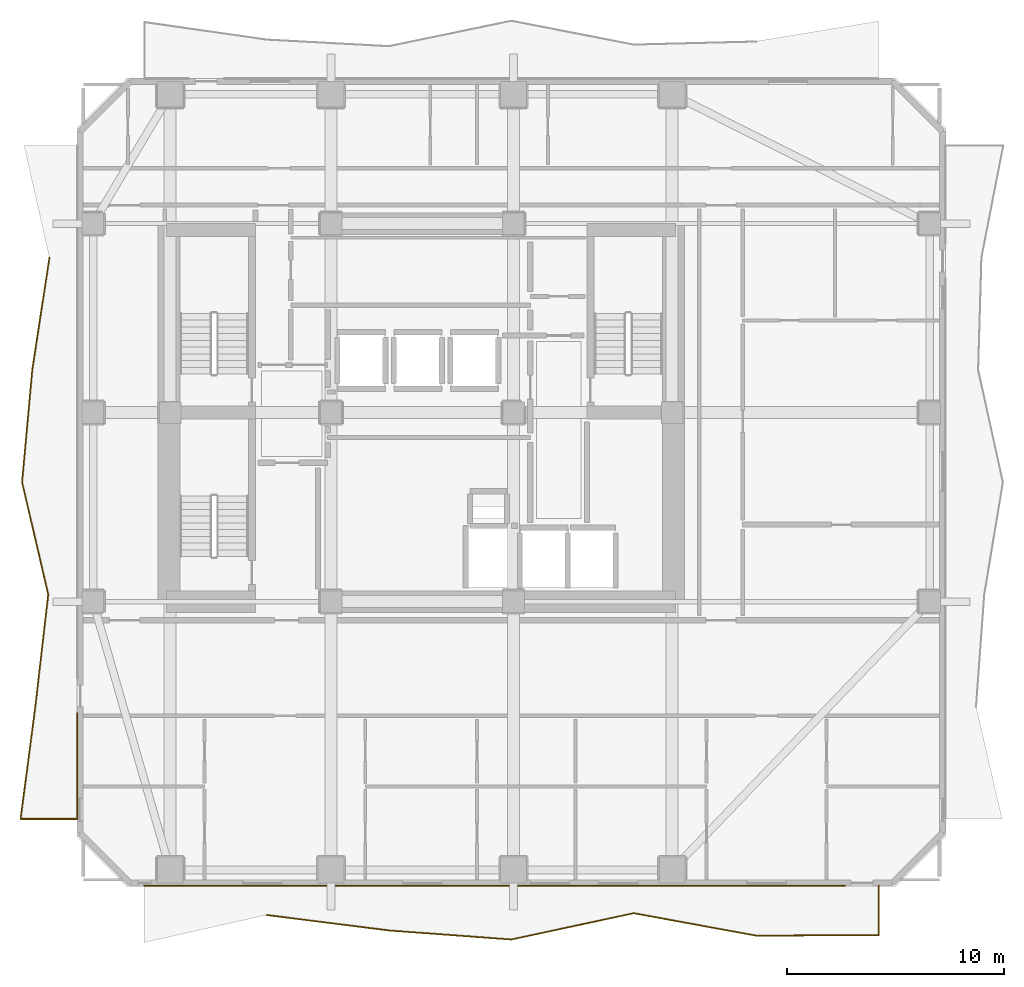
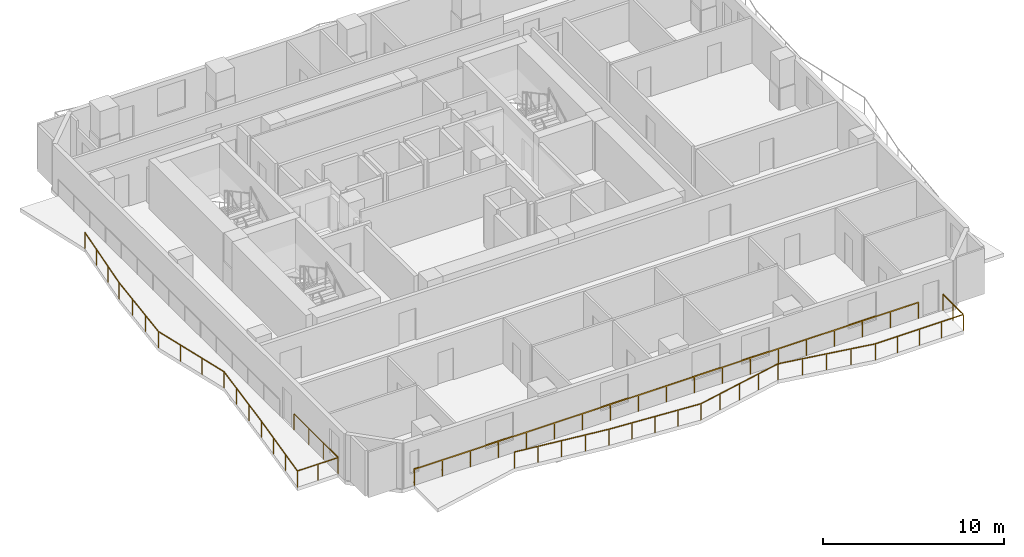
# One storey, part 7 of 9: 3 railings.
"""IFC4 building model written with IfcOpenShell, lengths in metres."""

from ifc_helpers import new_model, si_unit, direction, frame, origin, origin_2d, place, context, subcontext, project, spatial, rectangle, extrude, material, type_object, element, save


model = new_model("IFC4")

# Units and contexts
model_context = context("Model", 3, precision=1e-05, world=origin(), true_north=direction((0.0, 1.0)))
body_context = subcontext(model_context, "Body", "Model", "MODEL_VIEW")
ifc_project = project(units=[si_unit("LENGTHUNIT", "METRE"), si_unit("AREAUNIT", "SQUARE_METRE"), si_unit("VOLUMEUNIT", "CUBIC_METRE"), si_unit("PLANEANGLEUNIT", "RADIAN"), si_unit("MASSUNIT", "GRAM", prefix="KILO")], contexts=[model_context])

# Site, building, storey
site_placement = place(None, origin())
site = spatial("IfcSite", under=ifc_project, at=site_placement, CompositionType="ELEMENT")
building_placement = place(site_placement, origin())
building = spatial("IfcBuilding", under=site, at=building_placement, Name="Solanera Arch Residences", CompositionType="ELEMENT")
storey_placement = place(building_placement, frame((0.0, 0.0, 129.320068359375)))
storey = spatial("IfcBuildingStorey", under=building, at=storey_placement, Name="L37", CompositionType="ELEMENT", Elevation=129.320068359375)

# Railings
ifc_material = material(Name="Steel S355 (ASTM A992 / A572 Grade 50)", Category="steel")
railing_type = type_object("IfcRailingType", Name="Balustrade Railing BL-1100", PredefinedType="BALUSTRADE", material=ifc_material)
railing_1_placement = place(storey_placement, frame((17.8330078125, 7.5791015625, 0.0)))
element("IfcRailing", 1, at=railing_1_placement, inside=storey, type_object=railing_type, Name="L37 S Balcony Balustrade 1", PredefinedType="BALUSTRADE", context=body_context, shape_type="SweptSolid", body=[
    extrude(rectangle(XDim=0.048095703125, YDim=0.048095703125, at=origin_2d()), frame((0.0, 0.0, 1.09619140625), z_axis=(0.992105627374, -0.125405040302, 0.0), x_axis=(0.125405040302, 0.992105627374, 0.0)), (0.0, 0.0, 1.0), 5.678955078125),
    extrude(rectangle(XDim=0.048095703125, YDim=0.048095703125, at=origin_2d()), frame((5.634033203125, -0.712158203125, 1.09619140625), z_axis=(0.997284005213, -0.07365197178, 0.0), x_axis=(0.07365197178, 0.997284005213, 0.0)), (0.0, 0.0, 1.0), 5.6484375),
    extrude(rectangle(XDim=0.048095703125, YDim=0.048095703125, at=origin_2d()), frame((11.26708984375, -1.128173828125, 1.09619140625), z_axis=(0.977698110362, 0.210015249435, 0.0), x_axis=(-0.210015249435, 0.977698110362, 0.0)), (0.0, 0.0, 1.0), 5.76123046875),
    extrude(rectangle(XDim=0.048095703125, YDim=0.048095703125, at=origin_2d()), frame((16.89990234375, 0.081787109375, 1.09619140625), z_axis=(0.983635148134, -0.180171849511, 0.0), x_axis=(0.180171849511, 0.983635148134, 0.0)), (0.0, 0.0, 1.0), 5.727783203125),
    extrude(rectangle(XDim=0.048095703125, YDim=0.048095703125, at=origin_2d()), frame((22.533935546875, -0.9501953125, 1.09619140625), z_axis=(0.999990036089, 0.004464047749, 0.0), x_axis=(-0.004464047749, 0.999990036089, 0.0)), (0.0, 0.0, 1.0), 5.633056640625),
    extrude(rectangle(XDim=0.048095703125, YDim=0.048095703125, at=origin_2d()), frame((28.1669921875, -0.925048828125, 1.09619140625), z_axis=(0.0, 1.0, 0.0), x_axis=(-1.0, 0.0, 0.0)), (0.0, 0.0, 1.0), 2.265869140625),
    extrude(rectangle(XDim=0.0419921875, YDim=0.0419921875, at=origin_2d()), origin(), (0.0, 0.0, 1.0), 1.072021484375),
    extrude(rectangle(XDim=0.0419921875, YDim=0.0419921875, at=origin_2d()), frame((1.408447265625, -0.177978515625, 0.0)), (0.0, 0.0, 1.0), 1.072021484375),
    extrude(rectangle(XDim=0.0419921875, YDim=0.0419921875, at=origin_2d()), frame((2.81689453125, -0.35595703125, 0.0)), (0.0, 0.0, 1.0), 1.072021484375),
    extrude(rectangle(XDim=0.0419921875, YDim=0.0419921875, at=origin_2d()), frame((4.2255859375, -0.5341796875, 0.0)), (0.0, 0.0, 1.0), 1.072021484375),
    extrude(rectangle(XDim=0.0419921875, YDim=0.0419921875, at=origin_2d()), frame((5.634033203125, -0.712158203125, 0.0)), (0.0, 0.0, 1.0), 1.072021484375),
    extrude(rectangle(XDim=0.0419921875, YDim=0.0419921875, at=origin_2d()), frame((7.042236328125, -0.816162109375, 0.0)), (0.0, 0.0, 1.0), 1.072021484375),
    extrude(rectangle(XDim=0.0419921875, YDim=0.0419921875, at=origin_2d()), frame((8.45068359375, -0.920166015625, 0.0)), (0.0, 0.0, 1.0), 1.072021484375),
    extrude(rectangle(XDim=0.0419921875, YDim=0.0419921875, at=origin_2d()), frame((9.85888671875, -1.024169921875, 0.0)), (0.0, 0.0, 1.0), 1.072021484375),
    extrude(rectangle(XDim=0.0419921875, YDim=0.0419921875, at=origin_2d()), frame((11.26708984375, -1.128173828125, 0.0)), (0.0, 0.0, 1.0), 1.072021484375),
    extrude(rectangle(XDim=0.0419921875, YDim=0.0419921875, at=origin_2d()), frame((12.67529296875, -0.82568359375, 0.0)), (0.0, 0.0, 1.0), 1.072021484375),
    extrude(rectangle(XDim=0.0419921875, YDim=0.0419921875, at=origin_2d()), frame((14.08349609375, -0.523193359375, 0.0)), (0.0, 0.0, 1.0), 1.072021484375),
    extrude(rectangle(XDim=0.0419921875, YDim=0.0419921875, at=origin_2d()), frame((15.49169921875, -0.220703125, 0.0)), (0.0, 0.0, 1.0), 1.072021484375),
    extrude(rectangle(XDim=0.0419921875, YDim=0.0419921875, at=origin_2d()), frame((16.89990234375, 0.081787109375, 0.0)), (0.0, 0.0, 1.0), 1.072021484375),
    extrude(rectangle(XDim=0.0419921875, YDim=0.0419921875, at=origin_2d()), frame((18.308349609375, -0.17626953125, 0.0)), (0.0, 0.0, 1.0), 1.072021484375),
    extrude(rectangle(XDim=0.0419921875, YDim=0.0419921875, at=origin_2d()), frame((19.716796875, -0.43408203125, 0.0)), (0.0, 0.0, 1.0), 1.072021484375),
    extrude(rectangle(XDim=0.0419921875, YDim=0.0419921875, at=origin_2d()), frame((21.12548828125, -0.692138671875, 0.0)), (0.0, 0.0, 1.0), 1.072021484375),
    extrude(rectangle(XDim=0.0419921875, YDim=0.0419921875, at=origin_2d()), frame((22.533935546875, -0.9501953125, 0.0)), (0.0, 0.0, 1.0), 1.072021484375),
    extrude(rectangle(XDim=0.0419921875, YDim=0.0419921875, at=origin_2d()), frame((23.942138671875, -0.94384765625, 0.0)), (0.0, 0.0, 1.0), 1.072021484375),
    extrude(rectangle(XDim=0.0419921875, YDim=0.0419921875, at=origin_2d()), frame((25.3505859375, -0.9375, 0.0)), (0.0, 0.0, 1.0), 1.072021484375),
    extrude(rectangle(XDim=0.0419921875, YDim=0.0419921875, at=origin_2d()), frame((26.7587890625, -0.931396484375, 0.0)), (0.0, 0.0, 1.0), 1.072021484375),
    extrude(rectangle(XDim=0.0419921875, YDim=0.0419921875, at=origin_2d()), frame((28.1669921875, -0.925048828125, 0.0)), (0.0, 0.0, 1.0), 1.072021484375),
    extrude(rectangle(XDim=0.0419921875, YDim=0.0419921875, at=origin_2d()), frame((28.1669921875, 0.2080078125, 0.0)), (0.0, 0.0, 1.0), 1.072021484375),
    extrude(rectangle(XDim=0.0419921875, YDim=0.0419921875, at=origin_2d()), frame((28.1669921875, 1.3408203125, 0.0)), (0.0, 0.0, 1.0), 1.072021484375),
])
railing_2_placement = place(storey_placement, frame((44.44091796875, 8.919921875, 0.0)))
element("IfcRailing", 2, at=railing_2_placement, inside=storey, type_object=railing_type, Name="L37 S Balcony Balustrade 2", PredefinedType="BALUSTRADE", context=body_context, shape_type="SweptSolid", body=[
    extrude(rectangle(XDim=0.048095703125, YDim=0.048095703125, at=origin_2d()), frame((0.0, 0.0, 1.09619140625), z_axis=(-1.0, 0.0, 0.0), x_axis=(0.0, -1.0, 0.0)), (0.0, 0.0, 1.0), 32.240966796875),
    extrude(rectangle(XDim=0.0419921875, YDim=0.0419921875, at=origin_2d()), origin(), (0.0, 0.0, 1.0), 1.072021484375),
    extrude(rectangle(XDim=0.0419921875, YDim=0.0419921875, at=origin_2d()), frame((-1.791259765625, 0.0, 0.0)), (0.0, 0.0, 1.0), 1.072021484375),
    extrude(rectangle(XDim=0.0419921875, YDim=0.0419921875, at=origin_2d()), frame((-3.582275390625, 0.0, 0.0)), (0.0, 0.0, 1.0), 1.072021484375),
    extrude(rectangle(XDim=0.0419921875, YDim=0.0419921875, at=origin_2d()), frame((-5.37353515625, 0.0, 0.0)), (0.0, 0.0, 1.0), 1.072021484375),
    extrude(rectangle(XDim=0.0419921875, YDim=0.0419921875, at=origin_2d()), frame((-7.16455078125, 0.0, 0.0)), (0.0, 0.0, 1.0), 1.072021484375),
    extrude(rectangle(XDim=0.0419921875, YDim=0.0419921875, at=origin_2d()), frame((-8.955810546875, 0.0, 0.0)), (0.0, 0.0, 1.0), 1.072021484375),
    extrude(rectangle(XDim=0.0419921875, YDim=0.0419921875, at=origin_2d()), frame((-10.7470703125, 0.0, 0.0)), (0.0, 0.0, 1.0), 1.072021484375),
    extrude(rectangle(XDim=0.0419921875, YDim=0.0419921875, at=origin_2d()), frame((-12.5380859375, 0.0, 0.0)), (0.0, 0.0, 1.0), 1.072021484375),
    extrude(rectangle(XDim=0.0419921875, YDim=0.0419921875, at=origin_2d()), frame((-14.329345703125, 0.0, 0.0)), (0.0, 0.0, 1.0), 1.072021484375),
    extrude(rectangle(XDim=0.0419921875, YDim=0.0419921875, at=origin_2d()), frame((-16.12060546875, 0.0, 0.0)), (0.0, 0.0, 1.0), 1.072021484375),
    extrude(rectangle(XDim=0.0419921875, YDim=0.0419921875, at=origin_2d()), frame((-17.91162109375, 0.0, 0.0)), (0.0, 0.0, 1.0), 1.072021484375),
    extrude(rectangle(XDim=0.0419921875, YDim=0.0419921875, at=origin_2d()), frame((-19.702880859375, 0.0, 0.0)), (0.0, 0.0, 1.0), 1.072021484375),
    extrude(rectangle(XDim=0.0419921875, YDim=0.0419921875, at=origin_2d()), frame((-21.493896484375, 0.0, 0.0)), (0.0, 0.0, 1.0), 1.072021484375),
    extrude(rectangle(XDim=0.0419921875, YDim=0.0419921875, at=origin_2d()), frame((-23.28515625, 0.0, 0.0)), (0.0, 0.0, 1.0), 1.072021484375),
    extrude(rectangle(XDim=0.0419921875, YDim=0.0419921875, at=origin_2d()), frame((-25.076416015625, 0.0, 0.0)), (0.0, 0.0, 1.0), 1.072021484375),
    extrude(rectangle(XDim=0.0419921875, YDim=0.0419921875, at=origin_2d()), frame((-26.867431640625, 0.0, 0.0)), (0.0, 0.0, 1.0), 1.072021484375),
    extrude(rectangle(XDim=0.0419921875, YDim=0.0419921875, at=origin_2d()), frame((-28.65869140625, 0.0, 0.0)), (0.0, 0.0, 1.0), 1.072021484375),
    extrude(rectangle(XDim=0.0419921875, YDim=0.0419921875, at=origin_2d()), frame((-30.44970703125, 0.0, 0.0)), (0.0, 0.0, 1.0), 1.072021484375),
    extrude(rectangle(XDim=0.0419921875, YDim=0.0419921875, at=origin_2d()), frame((-32.240966796875, 0.0, 0.0)), (0.0, 0.0, 1.0), 1.072021484375),
])
railing_3_placement = place(storey_placement, frame((7.837890625, 37.8330078125, 0.0)))
element("IfcRailing", 3, at=railing_3_placement, inside=storey, type_object=railing_type, Name="L37 W Balcony Balustrade 1", PredefinedType="BALUSTRADE", context=body_context, shape_type="SweptSolid", body=[
    extrude(rectangle(XDim=0.048095703125, YDim=0.048095703125, at=origin_2d()), frame((0.0, 0.0, 1.09619140625), z_axis=(-0.150944239237, -0.988542278631, 0.0), x_axis=(0.988542278631, -0.150944239237, 0.0)), (0.0, 0.0, 1.0), 5.225830078125),
    extrude(rectangle(XDim=0.048095703125, YDim=0.048095703125, at=origin_2d()), frame((-0.788818359375, -5.166015625, 1.09619140625), z_axis=(-0.090395732471, -0.995905925051, 0.0), x_axis=(0.995905925051, -0.090395732471, 0.0)), (0.0, 0.0, 1.0), 5.188232421875),
    extrude(rectangle(XDim=0.048095703125, YDim=0.048095703125, at=origin_2d()), frame((-1.2578125, -10.3330078125, 1.09619140625), z_axis=(0.226912475326, -0.973915154693, 0.0), x_axis=(0.973915154693, 0.226912475326, 0.0)), (0.0, 0.0, 1.0), 5.305419921875),
    extrude(rectangle(XDim=0.048095703125, YDim=0.048095703125, at=origin_2d()), frame((-0.053955078125, -15.5, 1.09619140625), z_axis=(-0.114599160596, -0.993411814099, 0.0), x_axis=(0.993411814099, -0.114599160596, 0.0)), (0.0, 0.0, 1.0), 5.2001953125),
    extrude(rectangle(XDim=0.048095703125, YDim=0.048095703125, at=origin_2d()), frame((-0.64990234375, -20.666015625, 1.09619140625), z_axis=(-0.12991398448, -0.991525267775, 0.0), x_axis=(0.991525267775, -0.12991398448, 0.0)), (0.0, 0.0, 1.0), 5.211181640625),
    extrude(rectangle(XDim=0.048095703125, YDim=0.048095703125, at=origin_2d()), frame((-1.326904296875, -25.8330078125, 1.09619140625), z_axis=(1.0, 0.0, 0.0), x_axis=(0.0, 1.0, 0.0)), (0.0, 0.0, 1.0), 2.609130859375),
    extrude(rectangle(XDim=0.048095703125, YDim=0.048095703125, at=origin_2d()), frame((1.2822265625, -25.8330078125, 1.09619140625), z_axis=(0.0, 1.0, 0.0), x_axis=(-1.0, 0.0, 0.0)), (0.0, 0.0, 1.0), 4.873046875),
    extrude(rectangle(XDim=0.0419921875, YDim=0.0419921875, at=origin_2d()), origin(), (0.0, 0.0, 1.0), 1.072021484375),
    extrude(rectangle(XDim=0.0419921875, YDim=0.0419921875, at=origin_2d()), frame((-0.262939453125, -1.721923828125, 0.0)), (0.0, 0.0, 1.0), 1.072021484375),
    extrude(rectangle(XDim=0.0419921875, YDim=0.0419921875, at=origin_2d()), frame((-0.52587890625, -3.444091796875, 0.0)), (0.0, 0.0, 1.0), 1.072021484375),
    extrude(rectangle(XDim=0.0419921875, YDim=0.0419921875, at=origin_2d()), frame((-0.788818359375, -5.166015625, 0.0)), (0.0, 0.0, 1.0), 1.072021484375),
    extrude(rectangle(XDim=0.0419921875, YDim=0.0419921875, at=origin_2d()), frame((-0.945068359375, -6.888427734375, 0.0)), (0.0, 0.0, 1.0), 1.072021484375),
    extrude(rectangle(XDim=0.0419921875, YDim=0.0419921875, at=origin_2d()), frame((-1.1015625, -8.610595703125, 0.0)), (0.0, 0.0, 1.0), 1.072021484375),
    extrude(rectangle(XDim=0.0419921875, YDim=0.0419921875, at=origin_2d()), frame((-1.2578125, -10.3330078125, 0.0)), (0.0, 0.0, 1.0), 1.072021484375),
    extrude(rectangle(XDim=0.0419921875, YDim=0.0419921875, at=origin_2d()), frame((-0.8564453125, -12.055419921875, 0.0)), (0.0, 0.0, 1.0), 1.072021484375),
    extrude(rectangle(XDim=0.0419921875, YDim=0.0419921875, at=origin_2d()), frame((-0.455322265625, -13.777587890625, 0.0)), (0.0, 0.0, 1.0), 1.072021484375),
    extrude(rectangle(XDim=0.0419921875, YDim=0.0419921875, at=origin_2d()), frame((-0.053955078125, -15.5, 0.0)), (0.0, 0.0, 1.0), 1.072021484375),
    extrude(rectangle(XDim=0.0419921875, YDim=0.0419921875, at=origin_2d()), frame((-0.252685546875, -17.221923828125, 0.0)), (0.0, 0.0, 1.0), 1.072021484375),
    extrude(rectangle(XDim=0.0419921875, YDim=0.0419921875, at=origin_2d()), frame((-0.451171875, -18.944091796875, 0.0)), (0.0, 0.0, 1.0), 1.072021484375),
    extrude(rectangle(XDim=0.0419921875, YDim=0.0419921875, at=origin_2d()), frame((-0.64990234375, -20.666015625, 0.0)), (0.0, 0.0, 1.0), 1.072021484375),
    extrude(rectangle(XDim=0.0419921875, YDim=0.0419921875, at=origin_2d()), frame((-0.87548828125, -22.388427734375, 0.0)), (0.0, 0.0, 1.0), 1.072021484375),
    extrude(rectangle(XDim=0.0419921875, YDim=0.0419921875, at=origin_2d()), frame((-1.101318359375, -24.110595703125, 0.0)), (0.0, 0.0, 1.0), 1.072021484375),
    extrude(rectangle(XDim=0.0419921875, YDim=0.0419921875, at=origin_2d()), frame((-1.326904296875, -25.8330078125, 0.0)), (0.0, 0.0, 1.0), 1.072021484375),
    extrude(rectangle(XDim=0.0419921875, YDim=0.0419921875, at=origin_2d()), frame((-0.0224609375, -25.8330078125, 0.0)), (0.0, 0.0, 1.0), 1.072021484375),
    extrude(rectangle(XDim=0.0419921875, YDim=0.0419921875, at=origin_2d()), frame((1.2822265625, -25.8330078125, 0.0)), (0.0, 0.0, 1.0), 1.072021484375),
    extrude(rectangle(XDim=0.0419921875, YDim=0.0419921875, at=origin_2d()), frame((1.2822265625, -24.208740234375, 0.0)), (0.0, 0.0, 1.0), 1.072021484375),
    extrude(rectangle(XDim=0.0419921875, YDim=0.0419921875, at=origin_2d()), frame((1.2822265625, -22.584228515625, 0.0)), (0.0, 0.0, 1.0), 1.072021484375),
    extrude(rectangle(XDim=0.0419921875, YDim=0.0419921875, at=origin_2d()), frame((1.2822265625, -20.9599609375, 0.0)), (0.0, 0.0, 1.0), 1.072021484375),
])

save(model, "model.ifc")
